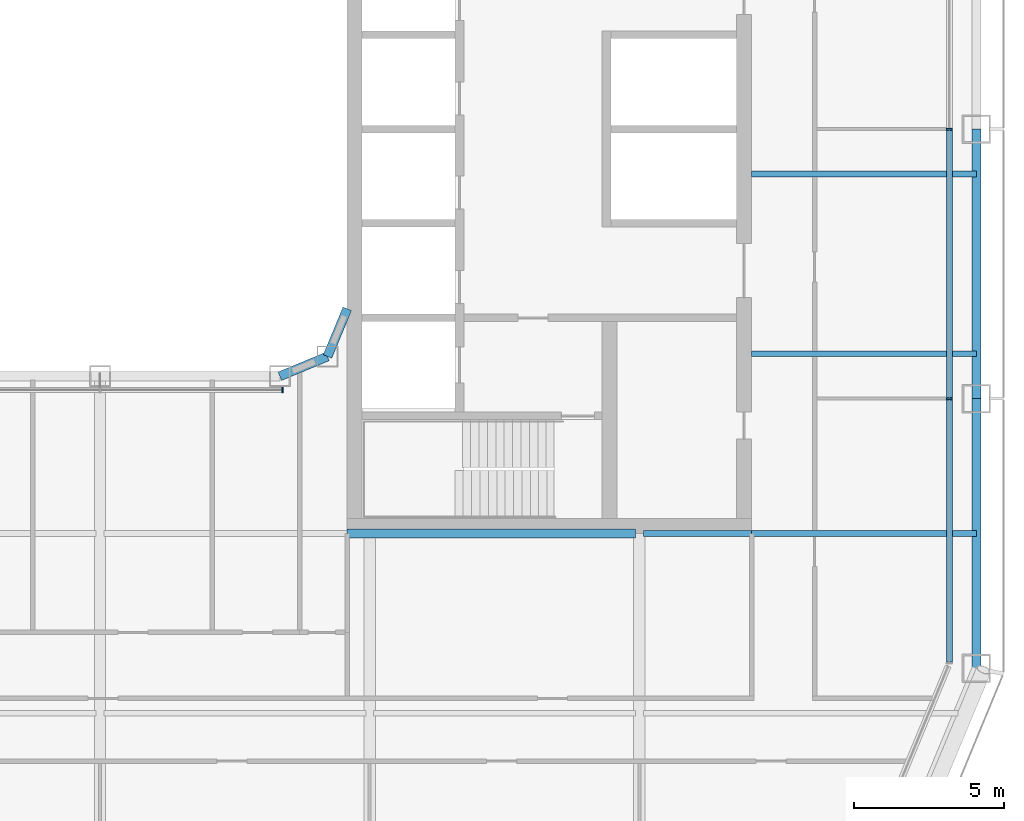
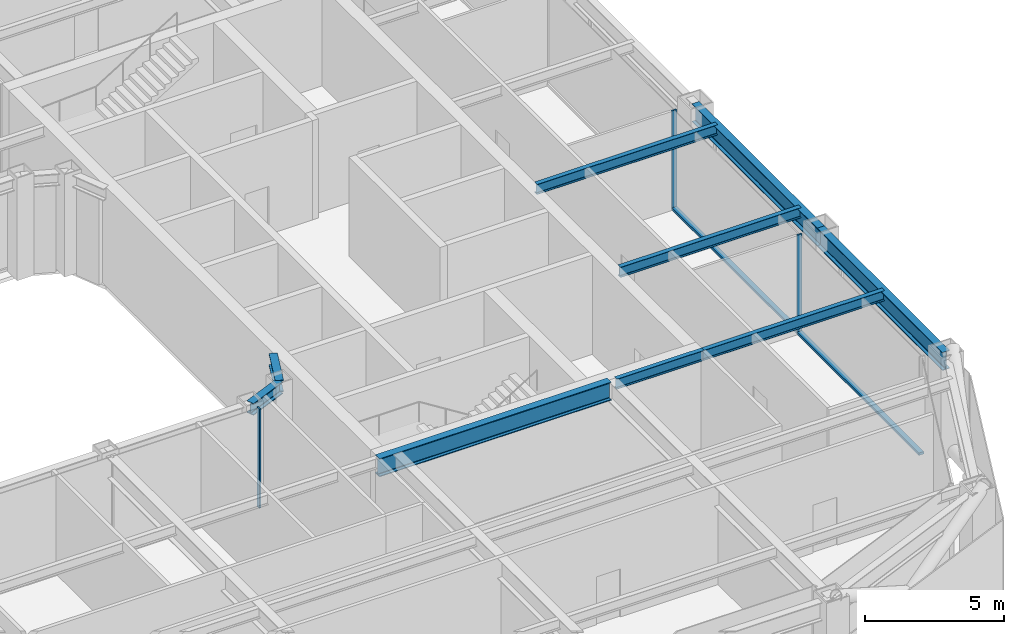
# One storey, part 5 of 23: 9 beams, 5 members, 2 elements without a shape of their own.
"""IFC4 building model written with IfcOpenShell, lengths in metres."""

from ifc_helpers import new_model, si_unit, direction, frame, origin, origin_2d, place, context, subcontext, project, spatial, rectangle, i_section, extrude, material, layer, layer_set, material_profile, profile_set, type_object, element, aggregate, save


model = new_model("IFC4")

# Units and contexts
model_context = context("Model", 3, precision=1e-05, world=origin(), true_north=direction((0.0, 1.0)))
body_context = subcontext(model_context, "Body", "Model", "MODEL_VIEW")
ifc_project = project(units=[si_unit("LENGTHUNIT", "METRE"), si_unit("AREAUNIT", "SQUARE_METRE"), si_unit("VOLUMEUNIT", "CUBIC_METRE"), si_unit("PLANEANGLEUNIT", "RADIAN"), si_unit("MASSUNIT", "GRAM", prefix="KILO")], contexts=[model_context])

# Site, building, storey
site_placement = place(None, origin())
site = spatial("IfcSite", under=ifc_project, at=site_placement, CompositionType="ELEMENT")
building_placement = place(site_placement, origin())
building = spatial("IfcBuilding", under=site, at=building_placement, Name="Siwar Civic Tower", CompositionType="ELEMENT")
storey_placement = place(building_placement, frame((0.0, 0.0, 136.199951171875)))
storey = spatial("IfcBuildingStorey", under=building, at=storey_placement, Name="L29", CompositionType="ELEMENT", Elevation=136.199951171875)

# Curtain wall, members
ifc_material_1 = material(Name="Aluminium and glass", Category="aluminium")
ifc_layer_1 = layer(ifc_material_1, 0.199951171875)
ifc_layer_set_1 = layer_set([ifc_layer_1], Name="Aluminium and glass")
curtain_wall_type_1 = type_object("IfcCurtainWallType", Name="ENV-CW-B", PredefinedType="NOTDEFINED", material=ifc_layer_set_1)
curtain_wall_1_placement = place(storey_placement, origin())
curtain_wall_1 = element("IfcCurtainWall", 1, at=curtain_wall_1_placement, inside=storey, type_object=curtain_wall_type_1, Name="Curtain wall B E", PredefinedType="NOTDEFINED")
ifc_material_2 = material(Name="Aluminium 6063-T6", Category="aluminium")
ifc_material_profile_1 = material_profile(ifc_material_2, rectangle(XDim=0.199951171875, YDim=0.06494140625, at=origin_2d()), Name="AL 200x65")
ifc_profile_set_1 = profile_set([ifc_material_profile_1], Name="Aluminium 6063-T6")
member_type_1 = type_object("IfcMemberType", Name="ENV-MULLION-B", PredefinedType="MULLION", material=ifc_profile_set_1)
member_1_placement = place(storey_placement, frame((28.35009765625, -9.0, 0.0), z_axis=(0.0, 0.0, 1.0), x_axis=(-1.0, 0.0, 0.0)))
member_1 = element("IfcMember", 2, at=member_1_placement, type_object=member_type_1, Name="Mullion B E 2", PredefinedType="MULLION", context=body_context, shape_type="SweptSolid", body=[
    extrude(rectangle(XDim=0.199951171875, YDim=0.06494140625, at=origin_2d()), origin(), (0.0, 0.0, 1.0), 4.35009765625),
])
member_2_placement = place(storey_placement, frame((28.35009765625, 0.0, 0.0), z_axis=(0.0, 0.0, 1.0), x_axis=(-1.0, 0.0, 0.0)))
member_2 = element("IfcMember", 3, at=member_2_placement, type_object=member_type_1, Name="Mullion B E 3", PredefinedType="MULLION", context=body_context, shape_type="SweptSolid", body=[
    extrude(rectangle(XDim=0.199951171875, YDim=0.06494140625, at=origin_2d()), origin(), (0.0, 0.0, 1.0), 4.35009765625),
])

# Curtain wall, member
ifc_material_3 = material(Name="Aluminium and glass", Category="aluminium")
ifc_layer_2 = layer(ifc_material_3, 0.179931640625)
ifc_layer_set_2 = layer_set([ifc_layer_2], Name="Aluminium and glass")
curtain_wall_type_2 = type_object("IfcCurtainWallType", Name="ENV-CW-W", PredefinedType="NOTDEFINED", material=ifc_layer_set_2)
curtain_wall_2_placement = place(storey_placement, origin())
curtain_wall_2 = element("IfcCurtainWall", 4, at=curtain_wall_2_placement, inside=storey, type_object=curtain_wall_type_2, Name="Curtain wall W WS", PredefinedType="NOTDEFINED")
ifc_material_4 = material(Name="Aluminium 6063-T6", Category="aluminium")
ifc_material_profile_2 = material_profile(ifc_material_4, rectangle(XDim=0.179931640625, YDim=0.06005859375, at=origin_2d()), Name="AL 180x60")
ifc_profile_set_2 = profile_set([ifc_material_profile_2], Name="Aluminium 6063-T6")
member_type_2 = type_object("IfcMemberType", Name="ENV-MULLION-W", PredefinedType="MULLION", material=ifc_profile_set_2)
member_3_placement = place(storey_placement, frame((6.091552734375, -8.7099609375, 0.0), z_axis=(0.0, 0.0, 1.0), x_axis=(0.0, 1.0, 0.0)))
member_3 = element("IfcMember", 5, at=member_3_placement, type_object=member_type_2, Name="Mullion W WS 3", PredefinedType="MULLION", context=body_context, shape_type="SweptSolid", body=[
    extrude(rectangle(XDim=0.179931640625, YDim=0.06005859375, at=origin_2d()), origin(), (0.0, 0.0, 1.0), 4.35009765625),
])
aggregate(curtain_wall_2, [member_3])

# Member
ifc_material_5 = material(Name="Aluminium 6063-T6", Category="aluminium")
ifc_material_profile_3 = material_profile(ifc_material_5, rectangle(XDim=0.199951171875, YDim=0.110107421875, at=origin_2d()), Name="AL 200x110")
ifc_profile_set_3 = profile_set([ifc_material_profile_3], Name="Aluminium 6063-T6")
member_type_3 = type_object("IfcMemberType", Name="ENV-TRANSOM-B", PredefinedType="USERDEFINED", material=ifc_profile_set_3)
member_4_placement = place(storey_placement, frame((28.35009765625, -17.78857421875, 0.054931640625), z_axis=(0.0, 1.0, 0.0), x_axis=(-1.0, 0.0, 0.0)))
member_4 = element("IfcMember", 6, at=member_4_placement, type_object=member_type_3, Name="Transom B E 1", ObjectType="TRANSOM", PredefinedType="USERDEFINED", context=body_context, shape_type="SweptSolid", body=[
    extrude(rectangle(XDim=0.199951171875, YDim=0.110107421875, at=origin_2d()), origin(), (0.0, 0.0, 1.0), 8.756103515625),
])

member_5_placement = place(storey_placement, frame((28.35009765625, -8.967529296875, 0.054931640625), z_axis=(0.0, 1.0, 0.0), x_axis=(-1.0, 0.0, 0.0)))
member_5 = element("IfcMember", 7, at=member_5_placement, type_object=member_type_3, Name="Transom B E 2", ObjectType="TRANSOM", PredefinedType="USERDEFINED", context=body_context, shape_type="SweptSolid", body=[
    extrude(rectangle(XDim=0.199951171875, YDim=0.110107421875, at=origin_2d()), origin(), (0.0, 0.0, 1.0), 8.93505859375),
])

aggregate(curtain_wall_1, [member_1, member_2, member_4, member_5])

# Beams
ifc_material_6 = material(Name="Steel S355", Category="steel")
ifc_material_profile_4 = material_profile(ifc_material_6, i_section(OverallWidth=0.18994140625, OverallDepth=0.449951171875, WebThickness=0.009521484375, FlangeThickness=0.0146484375, FilletRadius=0.02099609375, at=origin_2d()), Name="IPE450")
ifc_profile_set_4 = profile_set([ifc_material_profile_4], Name="Steel S355")
beam_type_1 = type_object("IfcBeamType", Name="STR-FB-IPE450", PredefinedType="JOIST", material=ifc_profile_set_4)
beam_1_placement = place(storey_placement, frame((18.1298828125, -13.5, 4.125), z_axis=(1.0, 0.0, 0.0), x_axis=(0.0, 1.0, 0.0)))
element("IfcBeam", 8, at=beam_1_placement, inside=storey, type_object=beam_type_1, Name="L29/bm/F019", PredefinedType="JOIST", context=body_context, shape_type="SweptSolid", body=[
    extrude(i_section(OverallWidth=0.18994140625, OverallDepth=0.449951171875, WebThickness=0.009521484375, FlangeThickness=0.0146484375, FilletRadius=0.02099609375, at=origin_2d()), origin(), (0.0, 0.0, 1.0), 3.6201171875),
])
for number, where, z_axis, x_axis, name in (
    (9, (21.75, -13.5, 4.125), (1.0, 0.0, 0.0), (0.0, 1.0, 0.0), "L29/bm/F020"),
    (10, (21.75, -7.5, 4.125), (1.0, 0.0, 0.0), (0.0, 1.0, 0.0), "L29/bm/F022"),
    (11, (21.75, -1.5, 4.125), (1.0, 0.0, 0.0), (0.0, 1.0, 0.0), "L29/bm/F024"),
):
    element("IfcBeam", number, at=place(storey_placement, frame(where, z_axis=z_axis, x_axis=x_axis)), inside=storey, type_object=beam_type_1, Name=name, PredefinedType="JOIST", context=body_context, shape_type="SweptSolid", body=[
        extrude(i_section(OverallWidth=0.18994140625, OverallDepth=0.449951171875, WebThickness=0.009521484375, FlangeThickness=0.0146484375, FilletRadius=0.02099609375, at=origin_2d()), origin(), (0.0, 0.0, 1.0), 7.5),
    ])
ifc_material_7 = material(Name="Steel S355", Category="steel")
ifc_material_profile_5 = material_profile(ifc_material_7, i_section(OverallWidth=0.300048828125, OverallDepth=0.800048828125, WebThickness=0.017578125, FlangeThickness=0.032958984375, FilletRadius=0.030029296875, at=origin_2d()), Name="HEB800")
ifc_profile_set_5 = profile_set([ifc_material_profile_5], Name="Steel S355")
beam_type_2 = type_object("IfcBeamType", Name="STR-PG-HEB800", PredefinedType="BEAM", material=ifc_profile_set_5)
beam_2_placement = place(storey_placement, frame((8.25, -13.5, 3.949951171875), z_axis=(1.0, 0.0, 0.0), x_axis=(0.0, 1.0, 0.0)))
element("IfcBeam", 12, at=beam_2_placement, inside=storey, type_object=beam_type_2, Name="L29/bm/F018", PredefinedType="BEAM", context=body_context, shape_type="SweptSolid", body=[
    extrude(i_section(OverallWidth=0.300048828125, OverallDepth=0.800048828125, WebThickness=0.017578125, FlangeThickness=0.032958984375, FilletRadius=0.030029296875, at=origin_2d()), origin(), (0.0, 0.0, 1.0), 9.6201171875),
])
ifc_material_8 = material(Name="Steel S355", Category="steel")
ifc_material_profile_6 = material_profile(ifc_material_8, i_section(OverallWidth=0.305908203125, OverallDepth=0.52392578125, WebThickness=0.02099609375, FlangeThickness=0.0400390625, FilletRadius=0.027099609375, at=origin_2d()), Name="HEM500")
ifc_profile_set_6 = profile_set([ifc_material_profile_6], Name="Steel S355")
beam_type_3 = type_object("IfcBeamType", Name="STR-RB-HEM500", PredefinedType="BEAM", material=ifc_profile_set_6)
for number, where, z_axis, x_axis, name in (
    (13, (6.0, -8.25, 4.088134765625), (0.923901072997, 0.382631424892, 0.0), (-0.382631424892, 0.923901072997, 0.0), "L29/bm/RS3"),
    (14, (7.591064453125, -7.591064453125, 4.088134765625), (0.382631424892, 0.923901072997, 0.0), (-0.923901072997, 0.382631424892, 0.0), "L29/bm/RSEE"),
):
    element("IfcBeam", number, at=place(storey_placement, frame(where, z_axis=z_axis, x_axis=x_axis)), inside=storey, type_object=beam_type_3, Name=name, PredefinedType="BEAM", context=body_context, shape_type="SweptSolid", body=[
        extrude(i_section(OverallWidth=0.305908203125, OverallDepth=0.52392578125, WebThickness=0.02099609375, FlangeThickness=0.0400390625, FilletRadius=0.027099609375, at=origin_2d()), origin(), (0.0, 0.0, 1.0), 1.72216796875),
    ])
ifc_material_9 = material(Name="Steel S355", Category="steel")
ifc_material_profile_7 = material_profile(ifc_material_9, i_section(OverallWidth=0.300048828125, OverallDepth=0.800048828125, WebThickness=0.017578125, FlangeThickness=0.032958984375, FilletRadius=0.030029296875, at=origin_2d()), Name="HEB800")
ifc_profile_set_7 = profile_set([ifc_material_profile_7], Name="Steel S355")
beam_type_4 = type_object("IfcBeamType", Name="STR-SB-HEB800", PredefinedType="BEAM", material=ifc_profile_set_7)
for number, where, z_axis, x_axis, name in (
    (15, (29.25, -18.0, 3.949951171875), (0.0, 1.0, 0.0), (-1.0, 0.0, 0.0), "L29/bm/SE-0"),
    (16, (29.25, -9.0, 3.949951171875), (0.0, 1.0, 0.0), (-1.0, 0.0, 0.0), "L29/bm/SE-1"),
):
    element("IfcBeam", number, at=place(storey_placement, frame(where, z_axis=z_axis, x_axis=x_axis)), inside=storey, type_object=beam_type_4, Name=name, PredefinedType="BEAM", context=body_context, shape_type="SweptSolid", body=[
        extrude(i_section(OverallWidth=0.300048828125, OverallDepth=0.800048828125, WebThickness=0.017578125, FlangeThickness=0.032958984375, FilletRadius=0.030029296875, at=origin_2d()), origin(), (0.0, 0.0, 1.0), 9.0),
    ])

save(model, "model.ifc")
